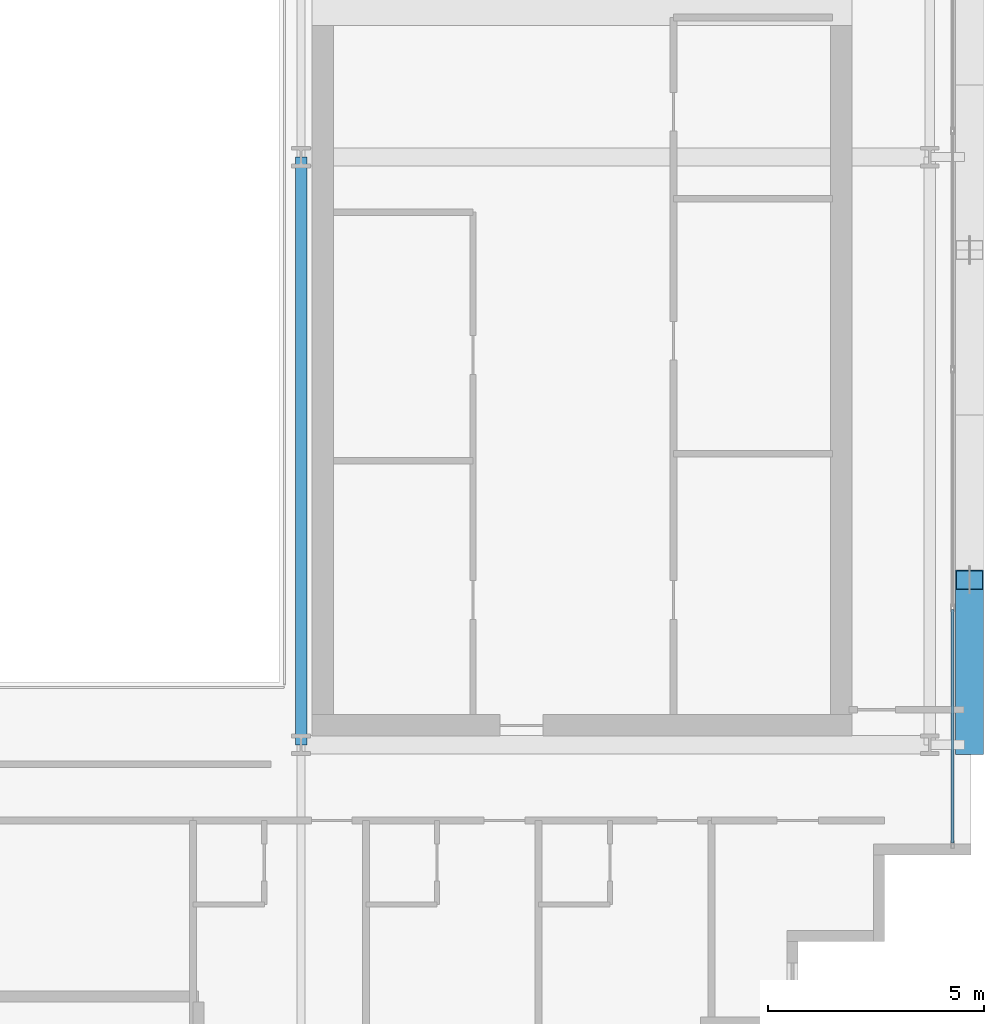
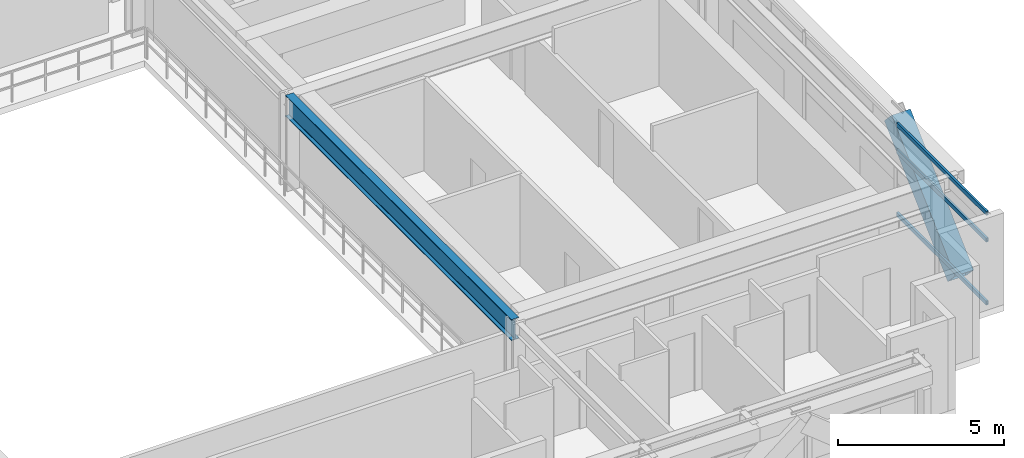
# One storey, part 11 of 32: 4 members, 1 beam, 1 element without a shape of its own.
"""IFC4 building model written with IfcOpenShell, lengths in metres."""

from ifc_helpers import new_model, si_unit, direction, frame, origin, origin_2d, place, context, subcontext, project, spatial, hollow_rectangle, i_section, extrude, source, transform, mapped, material, layer, layer_set, material_profile, profile_set, type_object, element, aggregate, save


model = new_model("IFC4")

# Units and contexts
model_context = context("Model", 3, precision=1e-05, world=origin(), true_north=direction((0.0, 1.0)))
body_context = subcontext(model_context, "Body", "Model", "MODEL_VIEW")
ifc_project = project(units=[si_unit("LENGTHUNIT", "METRE"), si_unit("AREAUNIT", "SQUARE_METRE"), si_unit("VOLUMEUNIT", "CUBIC_METRE"), si_unit("PLANEANGLEUNIT", "RADIAN"), si_unit("MASSUNIT", "GRAM", prefix="KILO")], contexts=[model_context])

# Site, building, storey
site_placement = place(None, origin())
site = spatial("IfcSite", under=ifc_project, at=site_placement, CompositionType="ELEMENT")
building_placement = place(site_placement, origin())
building = spatial("IfcBuilding", under=site, at=building_placement, Name="Ocotamira Hotel", CompositionType="ELEMENT")
storey_placement = place(building_placement, frame((0.0, 0.0, 166.800048828125)))
storey = spatial("IfcBuildingStorey", under=building, at=storey_placement, Name="L41", CompositionType="ELEMENT", Elevation=166.800048828125)

# Beam
ifc_material_1 = material(Name="Steel ASTM A992 Grade 50", Category="steel")
ifc_material_profile_1 = material_profile(ifc_material_1, i_section(OverallWidth=0.26611328125, OverallDepth=0.779052734375, WebThickness=0.0166015625, FlangeThickness=0.030029296875, FilletRadius=0.01806640625, at=origin_2d()), Name="W30X148")
ifc_profile_set_1 = profile_set([ifc_material_profile_1], Name="Steel ASTM A992 Grade 50")
beam_type = type_object("IfcBeamType", Name="BM-GIRD-W30X148", PredefinedType="BEAM", material=ifc_profile_set_1)
shared_shape_1 = source(origin(), body_context, "Body", "SweptSolid", [
    extrude(i_section(OverallWidth=0.26611328125, OverallDepth=0.779052734375, WebThickness=0.0166015625, FlangeThickness=0.030029296875, FilletRadius=0.01806640625, at=origin_2d()), origin(), (0.0, 0.0, 1.0), 13.599853515625),
])
beam_placement = place(storey_placement, frame((40.5, 14.550048828125, 2.98046875), z_axis=(0.0, 1.0, 0.0), x_axis=(-1.0, 0.0, 0.0)))
element("IfcBeam", 1, at=beam_placement, inside=storey, type_object=beam_type, Name="L41 Beam X40.5 Y14.55-28.15", PredefinedType="BEAM", context=body_context, shape_type="MappedRepresentation", body=[
    mapped(shared_shape_1, transform((0.0, 0.0, 0.0), scale=1.0)),
])

# Member
ifc_material_2 = material(Name="Pale-metal coated steel ASTM A913 Grade 65", Category="steel")
ifc_material_profile_2 = material_profile(ifc_material_2, hollow_rectangle(XDim=0.64990234375, YDim=0.64990234375, WallThickness=0.02197265625, at=origin_2d()), Name="BOX650X650X22")
ifc_profile_set_2 = profile_set([ifc_material_profile_2], Name="Pale-metal coated steel ASTM A913 Grade 65")
member_type_1 = type_object("IfcMemberType", Name="MEM-EXO-BOX650", PredefinedType="BRACE", material=ifc_profile_set_2)
shared_shape_2 = source(origin(), body_context, "Body", "SweptSolid", [
    extrude(hollow_rectangle(XDim=0.64990234375, YDim=0.64990234375, WallThickness=0.02197265625, at=origin_2d()), origin(), (0.0, 0.0, 1.0), 5.24658203125),
])
member_1_placement = place(storey_placement, frame((55.969970703125, 14.550048828125, -0.47998046875), z_axis=(0.0, 0.72746596067, 0.686143772154), x_axis=(-1.0, 0.0, 0.0)))
element("IfcMember", 2, at=member_1_placement, inside=storey, type_object=member_type_1, Name="L41 Exoskeleton Diagrid E0.1", PredefinedType="BRACE", context=body_context, shape_type="MappedRepresentation", body=[
    mapped(shared_shape_2, transform((0.0, 0.0, 0.0), scale=1.0)),
])

# Curtain wall, members
ifc_material_3 = material(Name="Anodised pale-metal aluminium and solar glass", Category="aluminium")
ifc_layer = layer(ifc_material_3, 0.199951171875)
ifc_layer_set = layer_set([ifc_layer], Name="Anodised pale-metal aluminium and solar glass")
curtain_wall_type = type_object("IfcCurtainWallType", Name="CW-SYS4-Z3", PredefinedType="NOTDEFINED", material=ifc_layer_set)
curtain_wall_placement = place(storey_placement, origin())
curtain_wall = element("IfcCurtainWall", 3, at=curtain_wall_placement, inside=storey, type_object=curtain_wall_type, Name="L41 Curtain Wall CW-4 CW-L41-E", PredefinedType="NOTDEFINED")
ifc_material_4 = material(Name="Anodised pale-metal aluminium 6063-T6", Category="aluminium")
ifc_material_profile_3 = material_profile(ifc_material_4, hollow_rectangle(XDim=0.074951171875, YDim=0.14990234375, WallThickness=0.006103515625, at=origin_2d()), Name="HSS150X75X6")
ifc_profile_set_3 = profile_set([ifc_material_profile_3], Name="Anodised pale-metal aluminium 6063-T6")
member_type_2 = type_object("IfcMemberType", Name="CWT-150X75", PredefinedType="USERDEFINED", material=ifc_profile_set_3)
shared_shape_3 = source(origin(), body_context, "Body", "SweptSolid", [
    extrude(hollow_rectangle(XDim=0.074951171875, YDim=0.14990234375, WallThickness=0.006103515625, at=origin_2d()), origin(), (0.0, 0.0, 1.0), 5.39990234375),
])
member_2_placement = place(storey_placement, frame((55.580078125, 12.280029296875, 0.037353515625), z_axis=(0.0, 1.0, 0.0), x_axis=(-1.0, 0.0, 0.0)))
member_2 = element("IfcMember", 4, at=member_2_placement, type_object=member_type_2, Name="CW-4 transom 1.1", ObjectType="TRANSOM", PredefinedType="USERDEFINED", context=body_context, shape_type="MappedRepresentation", body=[
    mapped(shared_shape_3, transform((0.0, 0.0, 0.0), scale=1.0)),
])
member_3_placement = place(storey_placement, frame((55.580078125, 12.280029296875, 2.349853515625), z_axis=(0.0, 1.0, 0.0), x_axis=(-1.0, 0.0, 0.0)))
member_3 = element("IfcMember", 5, at=member_3_placement, type_object=member_type_2, Name="CW-4 transom 1.2", ObjectType="TRANSOM", PredefinedType="USERDEFINED", context=body_context, shape_type="MappedRepresentation", body=[
    mapped(shared_shape_3, transform((0.0, 0.0, 0.0), scale=1.0)),
])
member_4_placement = place(storey_placement, frame((55.580078125, 12.280029296875, 3.33251953125), z_axis=(0.0, 1.0, 0.0), x_axis=(-1.0, 0.0, 0.0)))
member_4 = element("IfcMember", 6, at=member_4_placement, type_object=member_type_2, Name="CW-4 transom 1.3", ObjectType="TRANSOM", PredefinedType="USERDEFINED", context=body_context, shape_type="MappedRepresentation", body=[
    mapped(shared_shape_3, transform((0.0, 0.0, 0.0), scale=1.0)),
])
aggregate(curtain_wall, [member_2, member_3, member_4])

save(model, "model.ifc")
